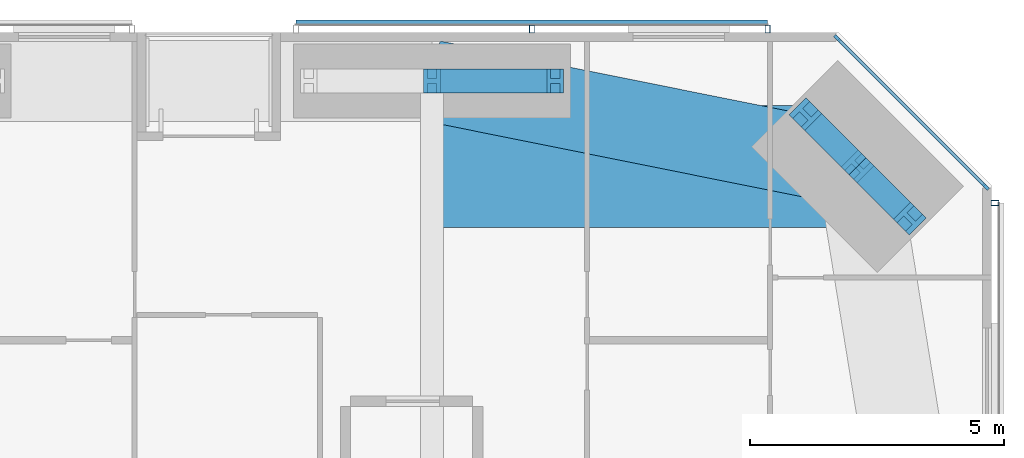
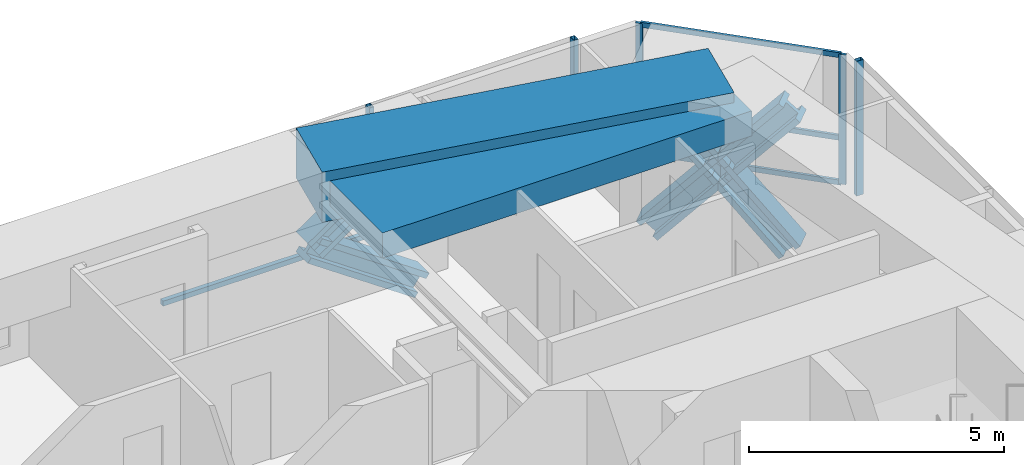
# One storey, part 14 of 23: 15 members, 2 beams, 3 elements without a shape of their own.
"""IFC4 building model written with IfcOpenShell, lengths in metres."""

from ifc_helpers import new_model, si_unit, direction, frame, origin, origin_2d, place, context, subcontext, project, spatial, rectangle, hollow_rectangle, i_section, extrude, material, material_profile, profile_set, type_object, element, aggregate, save


model = new_model("IFC4")

# Units and contexts
model_context = context("Model", 3, precision=1e-05, world=origin(), true_north=direction((0.0, 1.0)))
body_context = subcontext(model_context, "Body", "Model", "MODEL_VIEW")
ifc_project = project(units=[si_unit("LENGTHUNIT", "METRE"), si_unit("AREAUNIT", "SQUARE_METRE"), si_unit("VOLUMEUNIT", "CUBIC_METRE"), si_unit("PLANEANGLEUNIT", "RADIAN"), si_unit("MASSUNIT", "GRAM", prefix="KILO")], contexts=[model_context])

# Site, building, storey
site_placement = place(None, origin())
site = spatial("IfcSite", under=ifc_project, at=site_placement, CompositionType="ELEMENT")
building_placement = place(site_placement, origin())
building = spatial("IfcBuilding", under=site, at=building_placement, Name="Jalousie Tower", CompositionType="ELEMENT")
storey_placement = place(building_placement, frame((0.0, 0.0, 41.10009765625)))
storey = spatial("IfcBuildingStorey", under=building, at=storey_placement, Name="L10", CompositionType="ELEMENT", Elevation=41.10009765625)

# Curtain wall, members
ifc_material_1 = material(Name="Aluminium curtain wall", Category="aluminium")
curtain_wall_type_1 = type_object("IfcCurtainWallType", Name="CORNER WINDOW WALL", PredefinedType="USERDEFINED", material=ifc_material_1)
curtain_wall_1_placement = place(storey_placement, origin())
curtain_wall_1 = element("IfcCurtainWall", 1, at=curtain_wall_1_placement, inside=storey, type_object=curtain_wall_type_1, Name="Corner Window Wall L10 4", ObjectType="CORNER WINDOW WALL", PredefinedType="USERDEFINED")
ifc_material_2 = material(Name="Aluminium mullion", Category="aluminium")
ifc_material_profile_1 = material_profile(ifc_material_2, rectangle(XDim=0.06005859375, YDim=0.14990234375, at=origin_2d()), Name="MULLION 60x150")
ifc_profile_set_1 = profile_set([ifc_material_profile_1], Name="Aluminium mullion")
member_type_1 = type_object("IfcMemberType", Name="CORNER WINDOW WALL MULLION", PredefinedType="MULLION", material=ifc_profile_set_1)
member_1_placement = place(storey_placement, frame((45.891357421875, 34.969970703125, 0.0), z_axis=(0.0, 0.0, 1.0), x_axis=(-0.707106781187, -0.707106781187, 0.0)))
member_1 = element("IfcMember", 2, at=member_1_placement, type_object=member_type_1, Name="CW-C mullion 1", PredefinedType="MULLION", context=body_context, shape_type="SweptSolid", body=[
    extrude(rectangle(XDim=0.06005859375, YDim=0.14990234375, at=origin_2d()), origin(), (0.0, 0.0, 1.0), 3.10986328125),
])
member_2_placement = place(storey_placement, frame((42.969970703125, 37.891357421875, 0.0), z_axis=(0.0, 0.0, 1.0), x_axis=(-0.707106781187, -0.707106781187, 0.0)))
member_2 = element("IfcMember", 3, at=member_2_placement, type_object=member_type_1, Name="CW-C mullion 2", PredefinedType="MULLION", context=body_context, shape_type="SweptSolid", body=[
    extrude(rectangle(XDim=0.06005859375, YDim=0.14990234375, at=origin_2d()), origin(), (0.0, 0.0, 1.0), 3.10986328125),
])
ifc_material_3 = material(Name="Aluminium transom", Category="aluminium")
ifc_material_profile_2 = material_profile(ifc_material_3, rectangle(XDim=0.06005859375, YDim=0.1201171875, at=origin_2d()), Name="TRANSOM 60x120")
ifc_profile_set_2 = profile_set([ifc_material_profile_2], Name="Aluminium transom")
member_type_2 = type_object("IfcMemberType", Name="CORNER WINDOW WALL TRANSOM", PredefinedType="USERDEFINED", material=ifc_profile_set_2)
member_3_placement = place(storey_placement, frame((45.8701171875, 34.9912109375, 0.02978515625), z_axis=(-0.707106781187, 0.707106781187, 0.0), x_axis=(-0.707106781187, -0.707106781187, 0.0)))
member_3 = element("IfcMember", 4, at=member_3_placement, type_object=member_type_2, Name="CW-C transom 1.1", ObjectType="TRANSOM", PredefinedType="USERDEFINED", context=body_context, shape_type="SweptSolid", body=[
    extrude(rectangle(XDim=0.06005859375, YDim=0.1201171875, at=origin_2d()), origin(), (0.0, 0.0, 1.0), 4.0712890625),
])
member_4_placement = place(storey_placement, frame((45.8701171875, 34.9912109375, 1.099853515625), z_axis=(-0.707106781187, 0.707106781187, 0.0), x_axis=(-0.707106781187, -0.707106781187, 0.0)))
member_4 = element("IfcMember", 5, at=member_4_placement, type_object=member_type_2, Name="CW-C transom 1.2", ObjectType="TRANSOM", PredefinedType="USERDEFINED", context=body_context, shape_type="SweptSolid", body=[
    extrude(rectangle(XDim=0.06005859375, YDim=0.1201171875, at=origin_2d()), origin(), (0.0, 0.0, 1.0), 4.0712890625),
])
member_5_placement = place(storey_placement, frame((45.8701171875, 34.9912109375, 3.079833984375), z_axis=(-0.707106781187, 0.707106781187, 0.0), x_axis=(-0.707106781187, -0.707106781187, 0.0)))
member_5 = element("IfcMember", 6, at=member_5_placement, type_object=member_type_2, Name="CW-C transom 1.3", ObjectType="TRANSOM", PredefinedType="USERDEFINED", context=body_context, shape_type="SweptSolid", body=[
    extrude(rectangle(XDim=0.06005859375, YDim=0.1201171875, at=origin_2d()), origin(), (0.0, 0.0, 1.0), 4.0712890625),
])
aggregate(curtain_wall_1, [member_1, member_2, member_3, member_4, member_5])

# Members
ifc_material_4 = material(Name="Steel ASTM A992 Grade 50", Category="steel")
ifc_material_profile_3 = material_profile(ifc_material_4, i_section(OverallWidth=0.472412109375, OverallDepth=0.5791015625, WebThickness=0.094970703125, FlangeThickness=0.1298828125, at=origin_2d()), Name="W14X808")
ifc_profile_set_3 = profile_set([ifc_material_profile_3], Name="Steel ASTM A992 Grade 50")
member_type_3 = type_object("IfcMemberType", Name="PERIMETER BRACE W14X808", PredefinedType="BRACE", material=ifc_profile_set_3)
for number, where, z_axis, x_axis, name in (
    (7, (44.393798828125, 34.34326171875, -0.60009765625), (-0.462729793854, 0.462839993852, 0.756082189957), (-0.707190965575, -0.707022586774, 0.0), "Perimeter brace 08 L10 part 1"),
    (8, (43.36865234375, 35.36865234375, 1.074951171875), (-0.462839993852, 0.462729793854, 0.756082189957), (-0.707022586774, -0.707190965575, 0.0), "Perimeter brace 08 L10 part 2"),
    (9, (42.34326171875, 36.393798828125, -0.60009765625), (0.462839993852, -0.462729793854, 0.756082189957), (0.707022586774, 0.707190965575, 0.0), "Perimeter brace 08 L10 part 3"),
    (10, (43.36865234375, 35.36865234375, 1.074951171875), (0.462729793854, -0.462839993852, 0.756082189957), (0.707190965575, 0.707022586774, 0.0), "Perimeter brace 08 L10 part 4"),
):
    element("IfcMember", number, at=place(storey_placement, frame(where, z_axis=z_axis, x_axis=x_axis)), inside=storey, type_object=member_type_3, Name=name, PredefinedType="BRACE", context=body_context, shape_type="SweptSolid", body=[
        extrude(i_section(OverallWidth=0.472412109375, OverallDepth=0.5791015625, WebThickness=0.094970703125, FlangeThickness=0.1298828125, at=origin_2d()), origin(), (0.0, 0.0, 1.0), 2.21533203125),
    ])
for number, where, z_axis, x_axis, name in (
    (11, (35.0, 37.050048828125, 1.074951171875), (0.822800062329, 0.0, 0.568330940062), (0.0, 1.0, 0.0), "Perimeter brace 09 L10 part 2"),
    (12, (37.425048828125, 37.050048828125, -0.60009765625), (-0.822800062329, 0.0, 0.568330940062), (0.0, -1.0, 0.0), "Perimeter brace 09 L10 part 3"),
):
    element("IfcMember", number, at=place(storey_placement, frame(where, z_axis=z_axis, x_axis=x_axis)), inside=storey, type_object=member_type_3, Name=name, PredefinedType="BRACE", context=body_context, shape_type="SweptSolid", body=[
        extrude(i_section(OverallWidth=0.472412109375, OverallDepth=0.5791015625, WebThickness=0.094970703125, FlangeThickness=0.1298828125, at=origin_2d()), origin(), (0.0, 0.0, 1.0), 2.947265625),
    ])

# Beams
ifc_material_5 = material(Name="Concrete f'c 40 MPa", Category="concrete")
ifc_material_profile_4 = material_profile(ifc_material_5, rectangle(XDim=1.60009765625, YDim=1.199951171875, at=origin_2d()), Name="RC 1600x1200")
ifc_profile_set_4 = profile_set([ifc_material_profile_4], Name="Concrete f'c 40 MPa")
beam_type_1 = type_object("IfcBeamType", Name="RC BEAM 1600x1200", PredefinedType="BEAM", material=ifc_profile_set_4)
beam_1_placement = place(storey_placement, frame((43.36865234375, 35.36865234375, 2.75), z_axis=(-0.980407585444, 0.196979609107, 0.0), x_axis=(-0.196979609107, -0.980407585444, 0.0)))
element("IfcBeam", 13, at=beam_1_placement, inside=storey, type_object=beam_type_1, Name="Edge band beam 08-09 under L11", PredefinedType="BEAM", context=body_context, shape_type="SweptSolid", body=[
    extrude(rectangle(XDim=1.60009765625, YDim=1.199951171875, at=origin_2d()), origin(), (0.0, 0.0, 1.0), 8.535888671875),
])
ifc_material_6 = material(Name="Concrete f'c 40 MPa", Category="concrete")
ifc_material_profile_5 = material_profile(ifc_material_6, rectangle(XDim=2.39990234375, YDim=0.60009765625, at=origin_2d()), Name="RC 2400x600")
ifc_profile_set_5 = profile_set([ifc_material_profile_5], Name="Concrete f'c 40 MPa")
beam_type_2 = type_object("IfcBeamType", Name="RC BEAM 2400x600", PredefinedType="BEAM", material=ifc_profile_set_5)
beam_2_placement = place(storey_placement, frame((43.36865234375, 35.36865234375, 2.809814453125), z_axis=(-1.0, 0.0, 0.0), x_axis=(0.0, -1.0, 0.0)))
element("IfcBeam", 14, at=beam_2_placement, inside=storey, type_object=beam_type_2, Name="Floor band beam under L11", PredefinedType="BEAM", context=body_context, shape_type="SweptSolid", body=[
    extrude(rectangle(XDim=2.39990234375, YDim=0.60009765625, at=origin_2d()), origin(), (0.0, 0.0, 1.0), 8.36865234375),
])

# Curtain wall, member
ifc_material_7 = material(Name="Perforated aluminium sheet", Category="aluminium")
curtain_wall_type_2 = type_object("IfcCurtainWallType", Name="SOLAR SCREEN SS-1", PredefinedType="USERDEFINED", material=ifc_material_7)
curtain_wall_2_placement = place(storey_placement, origin())
curtain_wall_2 = element("IfcCurtainWall", 15, at=curtain_wall_2_placement, inside=storey, type_object=curtain_wall_type_2, Name="Solar screen L10", ObjectType="SOLAR SCREEN SS-1", PredefinedType="USERDEFINED")
ifc_material_8 = material(Name="Steel ASTM A500 Grade C", Category="steel")
ifc_material_profile_6 = material_profile(ifc_material_8, hollow_rectangle(XDim=0.1015625, YDim=0.15234375, WallThickness=0.00634765625, at=origin_2d()), Name="HSS6X4X1/4")
ifc_profile_set_6 = profile_set([ifc_material_profile_6], Name="Steel ASTM A500 Grade C")
member_type_4 = type_object("IfcMemberType", Name="SOLAR SCREEN SS-1 MULLION", PredefinedType="MULLION", material=ifc_profile_set_6)
member_6_placement = place(storey_placement, frame((46.0712890625, 34.648681640625, -0.1201171875), z_axis=(0.0, 0.0, 1.0), x_axis=(0.0, 1.0, 0.0)))
member_6 = element("IfcMember", 16, at=member_6_placement, type_object=member_type_4, Name="SS1 post 4", PredefinedType="MULLION", context=body_context, shape_type="SweptSolid", body=[
    extrude(hollow_rectangle(XDim=0.1015625, YDim=0.15234375, WallThickness=0.00634765625, at=origin_2d()), origin(), (0.0, 0.0, 1.0), 3.22998046875),
])
aggregate(curtain_wall_2, [member_6])

# Curtain wall, members
curtain_wall_3_placement = place(storey_placement, origin())
curtain_wall_3 = element("IfcCurtainWall", 17, at=curtain_wall_3_placement, inside=storey, type_object=curtain_wall_type_2, Name="Solar screen L10", ObjectType="SOLAR SCREEN SS-1", PredefinedType="USERDEFINED")
member_7_placement = place(storey_placement, frame((41.60009765625, 38.0712890625, -0.1201171875), z_axis=(0.0, 0.0, 1.0), x_axis=(-1.0, 0.0, 0.0)))
member_7 = element("IfcMember", 18, at=member_7_placement, type_object=member_type_4, Name="SS1 post 1", PredefinedType="MULLION", context=body_context, shape_type="SweptSolid", body=[
    extrude(hollow_rectangle(XDim=0.1015625, YDim=0.15234375, WallThickness=0.00634765625, at=origin_2d()), origin(), (0.0, 0.0, 1.0), 3.22998046875),
])
member_8_placement = place(storey_placement, frame((36.96240234375, 38.0712890625, -0.1201171875), z_axis=(0.0, 0.0, 1.0), x_axis=(-1.0, 0.0, 0.0)))
member_8 = element("IfcMember", 19, at=member_8_placement, type_object=member_type_4, Name="SS1 post 2", PredefinedType="MULLION", context=body_context, shape_type="SweptSolid", body=[
    extrude(hollow_rectangle(XDim=0.1015625, YDim=0.15234375, WallThickness=0.00634765625, at=origin_2d()), origin(), (0.0, 0.0, 1.0), 3.22998046875),
])
ifc_material_9 = material(Name="Extruded aluminium screen rail", Category="aluminium")
ifc_material_profile_7 = material_profile(ifc_material_9, rectangle(XDim=0.1015625, YDim=0.1201171875, at=origin_2d()), Name="RAIL 102x120")
ifc_profile_set_7 = profile_set([ifc_material_profile_7], Name="Extruded aluminium screen rail")
member_type_5 = type_object("IfcMemberType", Name="SOLAR SCREEN SS-1 TRANSOM", PredefinedType="USERDEFINED", material=ifc_profile_set_7)
member_9_placement = place(storey_placement, frame((41.60009765625, 38.1982421875, -0.06005859375), z_axis=(-1.0, 0.0, 0.0), x_axis=(0.0, -1.0, 0.0)))
member_9 = element("IfcMember", 20, at=member_9_placement, type_object=member_type_5, Name="SS1 rail", ObjectType="TRANSOM", PredefinedType="USERDEFINED", context=body_context, shape_type="SweptSolid", body=[
    extrude(rectangle(XDim=0.1015625, YDim=0.1201171875, at=origin_2d()), origin(), (0.0, 0.0, 1.0), 9.275146484375),
])
aggregate(curtain_wall_3, [member_7, member_8, member_9])

save(model, "model.ifc")
